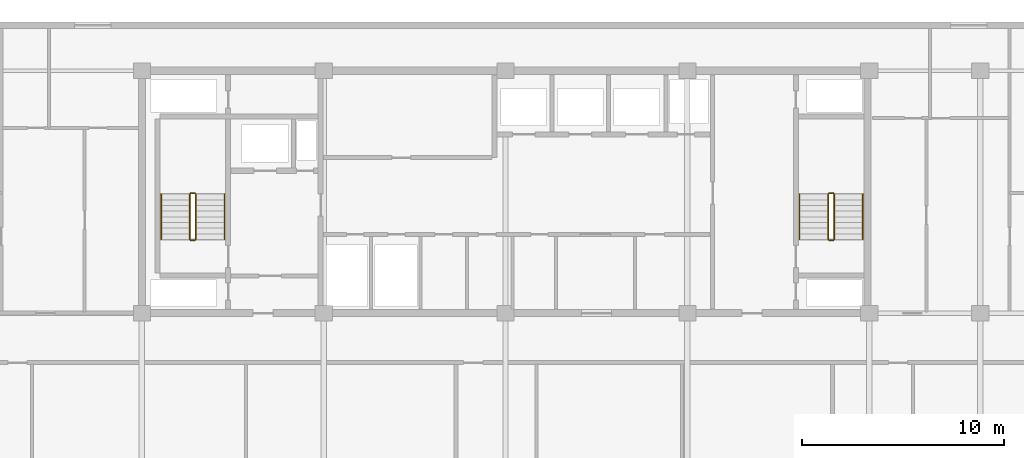
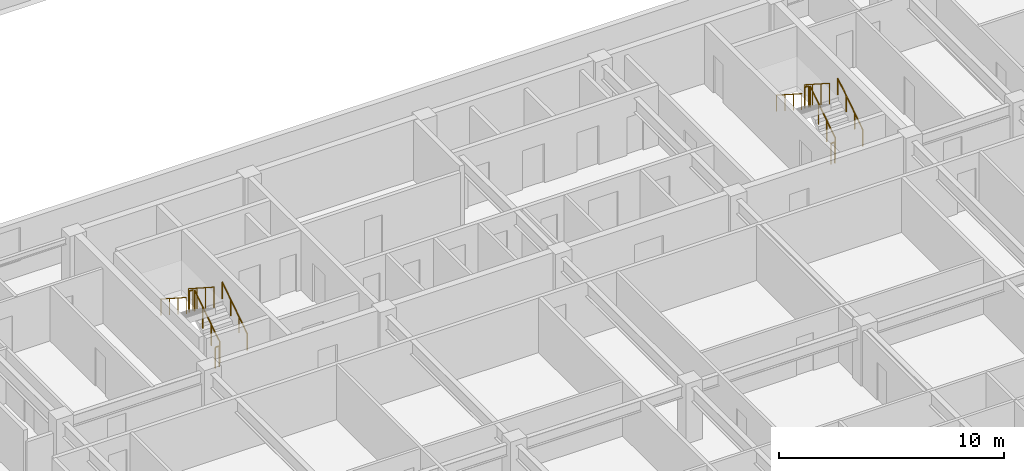
# One storey, part 19 of 22: 12 railings.
"""IFC4 building model written with IfcOpenShell, lengths in metres."""

from ifc_helpers import new_model, si_unit, direction, frame, origin, origin_2d, place, context, subcontext, project, spatial, circle, extrude, material, type_object, element, save


model = new_model("IFC4")

# Units and contexts
model_context = context("Model", 3, precision=1e-05, world=origin(), true_north=direction((0.0, 1.0)))
body_context = subcontext(model_context, "Body", "Model", "MODEL_VIEW")
ifc_project = project(units=[si_unit("LENGTHUNIT", "METRE"), si_unit("AREAUNIT", "SQUARE_METRE"), si_unit("VOLUMEUNIT", "CUBIC_METRE"), si_unit("PLANEANGLEUNIT", "RADIAN"), si_unit("MASSUNIT", "GRAM", prefix="KILO")], contexts=[model_context])

# Site, building, storey
site_placement = place(None, origin())
site = spatial("IfcSite", under=ifc_project, at=site_placement, CompositionType="ELEMENT")
building_placement = place(site_placement, origin())
building = spatial("IfcBuilding", under=site, at=building_placement, Name="Korimba Cascade Residences", CompositionType="ELEMENT")
storey_placement = place(building_placement, frame((0.0, 0.0, 126.300048828125)))
storey = spatial("IfcBuildingStorey", under=building, at=storey_placement, Name="L36", CompositionType="ELEMENT", Elevation=126.300048828125)

# Railings
ifc_material_1 = material(Name="Painted Steel Stairwell Guardrail", Category="steel")
railing_type_1 = type_object("IfcRailingType", Name="RLG-ST-GD1150", PredefinedType="GUARDRAIL", material=ifc_material_1)
railing_1_placement = place(storey_placement, frame((84.77001953125, 22.050048828125, 0.180419921875)))
element("IfcRailing", 1, at=railing_1_placement, inside=storey, type_object=railing_type_1, Name="L36 ST-E1 stair guard 1", PredefinedType="GUARDRAIL", context=body_context, shape_type="SweptSolid", body=[
    extrude(circle(Radius=0.02392578125, at=origin_2d()), frame((0.0, 0.0, 1.1259765625), z_axis=(0.0, 0.840394893359, 0.541974559565), x_axis=(-1.0, 0.0, 0.0)), (0.0, 0.0, 1.0), 2.665283203125),
    extrude(circle(Radius=0.02099609375, at=origin_2d()), origin(), (0.0, 0.0, 1.0), 1.101806640625),
    extrude(circle(Radius=0.02099609375, at=origin_2d()), frame((0.0, 0.74658203125, 0.4814453125)), (0.0, 0.0, 1.0), 1.101806640625),
    extrude(circle(Radius=0.02099609375, at=origin_2d()), frame((0.0, 1.493408203125, 0.963134765625)), (0.0, 0.0, 1.0), 1.101806640625),
    extrude(circle(Radius=0.02099609375, at=origin_2d()), frame((0.0, 2.239990234375, 1.444580078125)), (0.0, 0.0, 1.0), 1.101806640625),
])
railing_2_placement = place(storey_placement, frame((84.719970703125, 24.340087890625, 1.625)))
element("IfcRailing", 2, at=railing_2_placement, inside=storey, type_object=railing_type_1, Name="L36 ST-E1 stair guard 2", PredefinedType="GUARDRAIL", context=body_context, shape_type="SweptSolid", body=[
    extrude(circle(Radius=0.02392578125, at=origin_2d()), frame((0.0, 0.0, 1.1259765625), z_axis=(-1.0, 0.0, 0.0), x_axis=(0.0, -1.0, 0.0)), (0.0, 0.0, 1.0), 0.199951171875),
    extrude(circle(Radius=0.02099609375, at=origin_2d()), origin(), (0.0, 0.0, 1.0), 1.101806640625),
    extrude(circle(Radius=0.02099609375, at=origin_2d()), frame((-0.199951171875, 0.0, 0.0)), (0.0, 0.0, 1.0), 1.101806640625),
])
railing_3_placement = place(storey_placement, frame((84.469970703125, 24.2900390625, 1.805419921875)))
element("IfcRailing", 3, at=railing_3_placement, inside=storey, type_object=railing_type_1, Name="L36 ST-E1 stair guard 3", PredefinedType="GUARDRAIL", context=body_context, shape_type="SweptSolid", body=[
    extrude(circle(Radius=0.02392578125, at=origin_2d()), frame((0.0, 0.0, 1.1259765625), z_axis=(0.0, -0.840394893359, 0.541974559565), x_axis=(1.0, 0.0, 0.0)), (0.0, 0.0, 1.0), 2.665283203125),
    extrude(circle(Radius=0.02099609375, at=origin_2d()), origin(), (0.0, 0.0, 1.0), 1.101806640625),
    extrude(circle(Radius=0.02099609375, at=origin_2d()), frame((0.0, -0.74658203125, 0.4814453125)), (0.0, 0.0, 1.0), 1.101806640625),
    extrude(circle(Radius=0.02099609375, at=origin_2d()), frame((0.0, -1.493408203125, 0.963134765625)), (0.0, 0.0, 1.0), 1.101806640625),
    extrude(circle(Radius=0.02099609375, at=origin_2d()), frame((0.0, -2.239990234375, 1.444580078125)), (0.0, 0.0, 1.0), 1.101806640625),
])
railing_4_placement = place(storey_placement, frame((84.719970703125, 22.0, 0.0)))
element("IfcRailing", 4, at=railing_4_placement, inside=storey, type_object=railing_type_1, Name="L36 ST-E1 stair guard 4", PredefinedType="GUARDRAIL", context=body_context, shape_type="SweptSolid", body=[
    extrude(circle(Radius=0.02392578125, at=origin_2d()), frame((0.0, 0.0, 1.1259765625), z_axis=(-1.0, 0.0, 0.0), x_axis=(0.0, -1.0, 0.0)), (0.0, 0.0, 1.0), 0.199951171875),
    extrude(circle(Radius=0.02099609375, at=origin_2d()), origin(), (0.0, 0.0, 1.0), 1.101806640625),
    extrude(circle(Radius=0.02099609375, at=origin_2d()), frame((-0.199951171875, 0.0, 0.0)), (0.0, 0.0, 1.0), 1.101806640625),
])
railing_5_placement = place(storey_placement, frame((116.3701171875, 22.050048828125, 0.180419921875)))
element("IfcRailing", 5, at=railing_5_placement, inside=storey, type_object=railing_type_1, Name="L36 ST-E2 stair guard 1", PredefinedType="GUARDRAIL", context=body_context, shape_type="SweptSolid", body=[
    extrude(circle(Radius=0.02392578125, at=origin_2d()), frame((0.0, 0.0, 1.1259765625), z_axis=(0.0, 0.840394893359, 0.541974559565), x_axis=(-1.0, 0.0, 0.0)), (0.0, 0.0, 1.0), 2.665283203125),
    extrude(circle(Radius=0.02099609375, at=origin_2d()), origin(), (0.0, 0.0, 1.0), 1.101806640625),
    extrude(circle(Radius=0.02099609375, at=origin_2d()), frame((0.0, 0.74658203125, 0.4814453125)), (0.0, 0.0, 1.0), 1.101806640625),
    extrude(circle(Radius=0.02099609375, at=origin_2d()), frame((0.0, 1.493408203125, 0.963134765625)), (0.0, 0.0, 1.0), 1.101806640625),
    extrude(circle(Radius=0.02099609375, at=origin_2d()), frame((0.0, 2.239990234375, 1.444580078125)), (0.0, 0.0, 1.0), 1.101806640625),
])
railing_6_placement = place(storey_placement, frame((116.320068359375, 24.340087890625, 1.625)))
element("IfcRailing", 6, at=railing_6_placement, inside=storey, type_object=railing_type_1, Name="L36 ST-E2 stair guard 2", PredefinedType="GUARDRAIL", context=body_context, shape_type="SweptSolid", body=[
    extrude(circle(Radius=0.02392578125, at=origin_2d()), frame((0.0, 0.0, 1.1259765625), z_axis=(-1.0, 0.0, 0.0), x_axis=(0.0, -1.0, 0.0)), (0.0, 0.0, 1.0), 0.199951171875),
    extrude(circle(Radius=0.02099609375, at=origin_2d()), origin(), (0.0, 0.0, 1.0), 1.101806640625),
    extrude(circle(Radius=0.02099609375, at=origin_2d()), frame((-0.199951171875, 0.0, 0.0)), (0.0, 0.0, 1.0), 1.101806640625),
])
railing_7_placement = place(storey_placement, frame((116.070068359375, 24.2900390625, 1.805419921875)))
element("IfcRailing", 7, at=railing_7_placement, inside=storey, type_object=railing_type_1, Name="L36 ST-E2 stair guard 3", PredefinedType="GUARDRAIL", context=body_context, shape_type="SweptSolid", body=[
    extrude(circle(Radius=0.02392578125, at=origin_2d()), frame((0.0, 0.0, 1.1259765625), z_axis=(0.0, -0.840394893359, 0.541974559565), x_axis=(1.0, 0.0, 0.0)), (0.0, 0.0, 1.0), 2.665283203125),
    extrude(circle(Radius=0.02099609375, at=origin_2d()), origin(), (0.0, 0.0, 1.0), 1.101806640625),
    extrude(circle(Radius=0.02099609375, at=origin_2d()), frame((0.0, -0.74658203125, 0.4814453125)), (0.0, 0.0, 1.0), 1.101806640625),
    extrude(circle(Radius=0.02099609375, at=origin_2d()), frame((0.0, -1.493408203125, 0.963134765625)), (0.0, 0.0, 1.0), 1.101806640625),
    extrude(circle(Radius=0.02099609375, at=origin_2d()), frame((0.0, -2.239990234375, 1.444580078125)), (0.0, 0.0, 1.0), 1.101806640625),
])
railing_8_placement = place(storey_placement, frame((116.320068359375, 22.0, 0.0)))
element("IfcRailing", 8, at=railing_8_placement, inside=storey, type_object=railing_type_1, Name="L36 ST-E2 stair guard 4", PredefinedType="GUARDRAIL", context=body_context, shape_type="SweptSolid", body=[
    extrude(circle(Radius=0.02392578125, at=origin_2d()), frame((0.0, 0.0, 1.1259765625), z_axis=(-1.0, 0.0, 0.0), x_axis=(0.0, -1.0, 0.0)), (0.0, 0.0, 1.0), 0.199951171875),
    extrude(circle(Radius=0.02099609375, at=origin_2d()), origin(), (0.0, 0.0, 1.0), 1.101806640625),
    extrude(circle(Radius=0.02099609375, at=origin_2d()), frame((-0.199951171875, 0.0, 0.0)), (0.0, 0.0, 1.0), 1.101806640625),
])
ifc_material_2 = material(Name="Brushed Stainless Steel Handrail", Category="steel")
railing_type_2 = type_object("IfcRailingType", Name="RLG-ST-HR900", PredefinedType="HANDRAIL", material=ifc_material_2)
railing_9_placement = place(storey_placement, frame((86.18994140625, 22.050048828125, 0.364990234375)))
element("IfcRailing", 9, at=railing_9_placement, inside=storey, type_object=railing_type_2, Name="L36 ST-E1 stair handrail 1", PredefinedType="HANDRAIL", context=body_context, shape_type="SweptSolid", body=[
    extrude(circle(Radius=0.02392578125, at=origin_2d()), frame((0.0, 0.0, 0.8759765625), z_axis=(0.0, 0.840436612492, 0.541909863706), x_axis=(-1.0, 0.0, 0.0)), (0.0, 0.0, 1.0), 2.665283203125),
    extrude(circle(Radius=0.02099609375, at=origin_2d()), origin(), (0.0, 0.0, 1.0), 0.851806640625),
    extrude(circle(Radius=0.02099609375, at=origin_2d()), frame((0.0, 0.74658203125, 0.4814453125)), (0.0, 0.0, 1.0), 0.851806640625),
    extrude(circle(Radius=0.02099609375, at=origin_2d()), frame((0.0, 1.493408203125, 0.962890625)), (0.0, 0.0, 1.0), 0.851806640625),
    extrude(circle(Radius=0.02099609375, at=origin_2d()), frame((0.0, 2.239990234375, 1.4443359375)), (0.0, 0.0, 1.0), 0.851806640625),
])
railing_10_placement = place(storey_placement, frame((83.050048828125, 24.2900390625, 1.989990234375)))
element("IfcRailing", 10, at=railing_10_placement, inside=storey, type_object=railing_type_2, Name="L36 ST-E1 stair handrail 2", PredefinedType="HANDRAIL", context=body_context, shape_type="SweptSolid", body=[
    extrude(circle(Radius=0.02392578125, at=origin_2d()), frame((0.0, 0.0, 0.8759765625), z_axis=(0.0, -0.840436612492, 0.541909863706), x_axis=(1.0, 0.0, 0.0)), (0.0, 0.0, 1.0), 2.665283203125),
    extrude(circle(Radius=0.02099609375, at=origin_2d()), origin(), (0.0, 0.0, 1.0), 0.851806640625),
    extrude(circle(Radius=0.02099609375, at=origin_2d()), frame((0.0, -0.74658203125, 0.4814453125)), (0.0, 0.0, 1.0), 0.851806640625),
    extrude(circle(Radius=0.02099609375, at=origin_2d()), frame((0.0, -1.493408203125, 0.962890625)), (0.0, 0.0, 1.0), 0.851806640625),
    extrude(circle(Radius=0.02099609375, at=origin_2d()), frame((0.0, -2.239990234375, 1.4443359375)), (0.0, 0.0, 1.0), 0.851806640625),
])
railing_11_placement = place(storey_placement, frame((117.7900390625, 22.050048828125, 0.364990234375)))
element("IfcRailing", 11, at=railing_11_placement, inside=storey, type_object=railing_type_2, Name="L36 ST-E2 stair handrail 1", PredefinedType="HANDRAIL", context=body_context, shape_type="SweptSolid", body=[
    extrude(circle(Radius=0.02392578125, at=origin_2d()), frame((0.0, 0.0, 0.8759765625), z_axis=(0.0, 0.840436612492, 0.541909863706), x_axis=(-1.0, 0.0, 0.0)), (0.0, 0.0, 1.0), 2.665283203125),
    extrude(circle(Radius=0.02099609375, at=origin_2d()), origin(), (0.0, 0.0, 1.0), 0.851806640625),
    extrude(circle(Radius=0.02099609375, at=origin_2d()), frame((0.0, 0.74658203125, 0.4814453125)), (0.0, 0.0, 1.0), 0.851806640625),
    extrude(circle(Radius=0.02099609375, at=origin_2d()), frame((0.0, 1.493408203125, 0.962890625)), (0.0, 0.0, 1.0), 0.851806640625),
    extrude(circle(Radius=0.02099609375, at=origin_2d()), frame((0.0, 2.239990234375, 1.4443359375)), (0.0, 0.0, 1.0), 0.851806640625),
])
railing_12_placement = place(storey_placement, frame((114.64990234375, 24.2900390625, 1.989990234375)))
element("IfcRailing", 12, at=railing_12_placement, inside=storey, type_object=railing_type_2, Name="L36 ST-E2 stair handrail 2", PredefinedType="HANDRAIL", context=body_context, shape_type="SweptSolid", body=[
    extrude(circle(Radius=0.02392578125, at=origin_2d()), frame((0.0, 0.0, 0.8759765625), z_axis=(0.0, -0.840436612492, 0.541909863706), x_axis=(1.0, 0.0, 0.0)), (0.0, 0.0, 1.0), 2.665283203125),
    extrude(circle(Radius=0.02099609375, at=origin_2d()), origin(), (0.0, 0.0, 1.0), 0.851806640625),
    extrude(circle(Radius=0.02099609375, at=origin_2d()), frame((0.0, -0.74658203125, 0.4814453125)), (0.0, 0.0, 1.0), 0.851806640625),
    extrude(circle(Radius=0.02099609375, at=origin_2d()), frame((0.0, -1.493408203125, 0.962890625)), (0.0, 0.0, 1.0), 0.851806640625),
    extrude(circle(Radius=0.02099609375, at=origin_2d()), frame((0.0, -2.239990234375, 1.4443359375)), (0.0, 0.0, 1.0), 0.851806640625),
])

save(model, "model.ifc")
